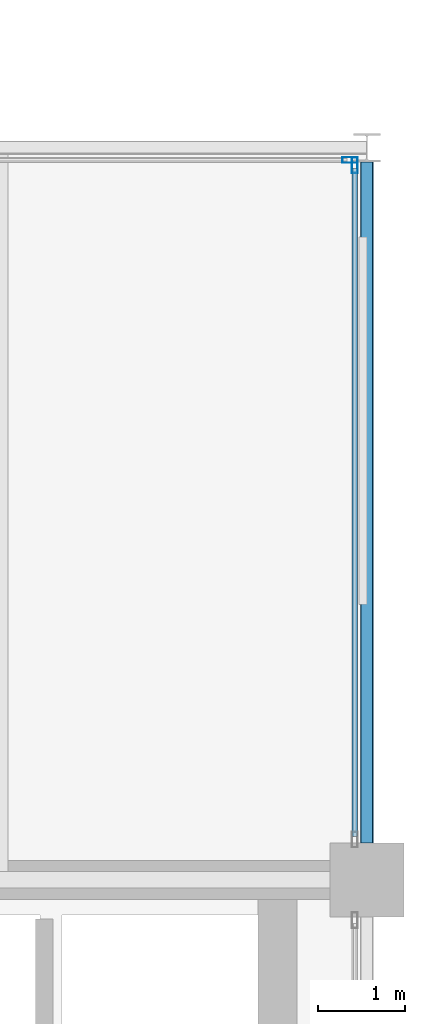
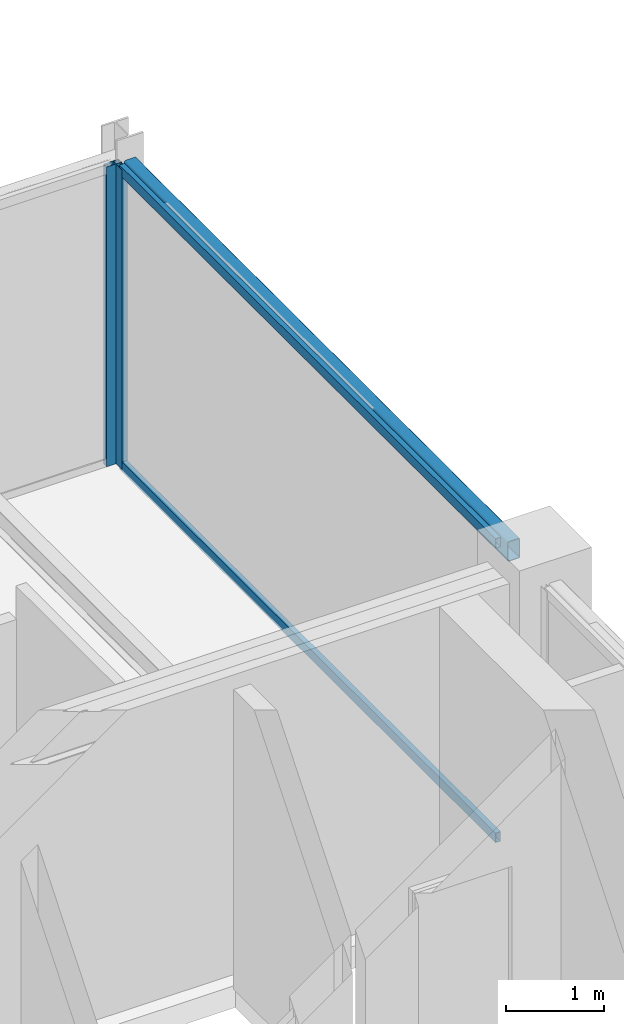
# One storey, part 15 of 24: 4 members, 1 beam, 2 elements without a shape of their own.
"""IFC4 building model written with IfcOpenShell, lengths in metres."""

import ifcopenshell
import ifcopenshell.guid

model = None  # the IFC model being written
_history = None  # IfcOwnerHistory: only IFC2X3 demands one
_inside = {}  # id of a spatial element -> (the spatial element, [elements in it])
_under = {}  # id of a project, library or spatial element -> (it, [spatial elements below it])
_declared = {}  # id of a project -> (the project, [libraries it declares])
_typed = {}  # id of a type object -> (the type object, [elements of that type])
_made_of = {}  # id of a material, layer set ... -> (it, [elements and type objects made of it])


def new_model(schema):
    """Start an empty IFC model of exactly this schema.

    Asked for "IFC4X3", IfcOpenShell would pick the latest addendum, in which some entities
    have other attributes; the version numbers below select the first issue.
    IFC2X3 requires an IfcOwnerHistory on every rooted entity: one is made here for all.
    """
    global model, _history
    if schema == "IFC4X3":
        model = ifcopenshell.file(schema_version=(4, 3, 0, 0))
    else:
        model = ifcopenshell.file(schema=schema)
    _inside.clear()
    _under.clear()
    _declared.clear()
    _typed.clear()
    _made_of.clear()
    _history = None
    if model.schema == "IFC2X3":
        org = make("IfcOrganization", Name="unknown")
        user = make(
            "IfcPersonAndOrganization",
            ThePerson=make("IfcPerson", FamilyName="unknown"),
            TheOrganization=org,
        )
        app = make(
            "IfcApplication",
            ApplicationDeveloper=org,
            Version="unknown",
            ApplicationFullName="unknown",
            ApplicationIdentifier="unknown",
        )
        _history = make(
            "IfcOwnerHistory",
            OwningUser=user,
            OwningApplication=app,
            ChangeAction="ADDED",
            CreationDate=0,
        )
    return model


def make(cls, **values):
    """One entity of the class cls with the attributes given. An attribute that is None is left unset."""
    return model.create_entity(
        cls, **{name: value for name, value in values.items() if value is not None}
    )


def rooted(cls, **values):
    """An entity with a GlobalId (a new one), such as an element, a storey or a relation."""
    return make(cls, GlobalId=ifcopenshell.guid.new(), OwnerHistory=_history, **values)


def si_unit(unit_type, name, prefix=None):
    """IfcSIUnit, for example si_unit("LENGTHUNIT", "METRE", prefix="MILLI")."""
    return make("IfcSIUnit", UnitType=unit_type, Prefix=prefix, Name=name)


def assignment(units):
    """IfcUnitAssignment: the units of a project."""
    return None if units is None else make("IfcUnitAssignment", Units=units)


def point(xyz):
    """IfcCartesianPoint."""
    return None if xyz is None else make("IfcCartesianPoint", Coordinates=xyz)


def direction(xyz):
    """IfcDirection."""
    return None if xyz is None else make("IfcDirection", DirectionRatios=xyz)


def frame(location, z_axis=None, x_axis=None):
    """IfcAxis2Placement3D, a coordinate frame: its origin and axes. An axis left out is left unset."""
    return make(
        "IfcAxis2Placement3D",
        Location=point(location),
        Axis=direction(z_axis),
        RefDirection=direction(x_axis),
    )


def frame_2d(location, x_axis=None):
    """IfcAxis2Placement2D, a coordinate frame in the plane: its origin and x axis."""
    return make(
        "IfcAxis2Placement2D", Location=point(location), RefDirection=direction(x_axis)
    )


def origin():
    """The frame at (0, 0, 0) with its axes left unset."""
    return frame((0.0, 0.0, 0.0))


def origin_2d():
    """The frame at (0, 0) in the plane with its x axis left unset."""
    return frame_2d((0.0, 0.0))


def place(relative_to, where):
    """IfcLocalPlacement: puts the frame where relative to a parent placement (None: the world)."""
    return make(
        "IfcLocalPlacement", PlacementRelTo=relative_to, RelativePlacement=where
    )


def context(
    kind, dimensions, precision=None, world=None, true_north=None, identifier=None
):
    """IfcGeometricRepresentationContext, for example the 3D "Model" context."""
    return make(
        "IfcGeometricRepresentationContext",
        ContextIdentifier=identifier,
        ContextType=kind,
        CoordinateSpaceDimension=dimensions,
        Precision=precision,
        WorldCoordinateSystem=world,
        TrueNorth=true_north,
    )


def subcontext(parent, identifier, kind, view, scale=None):
    """IfcGeometricRepresentationSubContext, for example "Body" below "Model"."""
    return make(
        "IfcGeometricRepresentationSubContext",
        ContextIdentifier=identifier,
        ContextType=kind,
        ParentContext=parent,
        TargetScale=scale,
        TargetView=view,
    )


def project(units=None, contexts=None):
    """IfcProject with its units and contexts."""
    return rooted(
        "IfcProject",
        Name="project",
        RepresentationContexts=contexts,
        UnitsInContext=assignment(units),
    )


def spatial(cls, under=None, at=None, **own):
    """A site, building, storey or space (cls), placed at a placement, below another one or the project."""
    s = rooted(cls, ObjectPlacement=at, **own)
    if under is not None:
        _under.setdefault(under.id(), (under, []))[1].append(s)
    return s


def profile(cls, at=None, kind="AREA", **sizes):
    """A parametric profile (cls). Its sizes go by their IFC names, for example OverallWidth=200.0."""
    return make(cls, ProfileType=kind, Position=at, **sizes)


def hollow_rectangle(**sizes):
    """IfcRectangleHollowProfileDef."""
    return profile("IfcRectangleHollowProfileDef", **sizes)


def extrude(swept, where, along, depth):
    """IfcExtrudedAreaSolid: the profile swept, set in the frame where, extruded along a direction by depth."""
    return make(
        "IfcExtrudedAreaSolid",
        SweptArea=swept,
        Position=where,
        ExtrudedDirection=direction(along),
        Depth=depth,
    )


def shape(context_of_items, identifier, shape_type, items):
    """IfcShapeRepresentation: the items that make up one representation, for example the "Body"."""
    return make(
        "IfcShapeRepresentation",
        ContextOfItems=context_of_items,
        RepresentationIdentifier=identifier,
        RepresentationType=shape_type,
        Items=items,
    )


def material(Name=None, Category=None):
    """IfcMaterial."""
    return make("IfcMaterial", Name=Name, Category=Category)


def layer(
    of_material, thickness, ventilated=None, Name=None, Category=None, Priority=None
):
    """IfcMaterialLayer: one layer of a wall or slab, of a material (None: an air gap)."""
    return make(
        "IfcMaterialLayer",
        Material=of_material,
        LayerThickness=thickness,
        IsVentilated=ventilated,
        Name=Name,
        Category=Category,
        Priority=Priority,
    )


def layer_set(layers, Name=None):
    """IfcMaterialLayerSet."""
    return make("IfcMaterialLayerSet", MaterialLayers=layers, LayerSetName=Name)


def material_profile(
    of_material, cross_section, Name=None, Category=None, Priority=None
):
    """IfcMaterialProfile: a cross section and its material."""
    return make(
        "IfcMaterialProfile",
        Name=Name,
        Material=of_material,
        Profile=cross_section,
        Priority=Priority,
        Category=Category,
    )


def profile_set(profiles, Name=None, composite=None):
    """IfcMaterialProfileSet."""
    return make(
        "IfcMaterialProfileSet",
        Name=Name,
        MaterialProfiles=profiles,
        CompositeProfile=composite,
    )


def made_of(thing, what):
    """Note that an element or type object is made of a material, layer set ...; save() writes the relation."""
    if what is not None:
        _made_of.setdefault(what.id(), (what, []))[1].append(thing)
    return thing


def type_object(cls, material=None, **own):
    """A type object (cls), such as IfcWallType, which elements share."""
    return made_of(rooted(cls, **own), material)


def element(
    cls,
    number,
    at=None,
    inside=None,
    cuts=None,
    type_object=None,
    material=None,
    context=None,
    identifier="Body",
    shape_type=None,
    held_by="IfcProductDefinitionShape",
    body=None,
    shapes=None,
    **own,
):
    """One element of the class cls, such as IfcWall. Its Tag is "e" and its number.

    at: its placement. inside: the storey or other place that contains it. cuts: it is an
    opening in that element (IfcRelVoidsElement). A single representation is given by context,
    identifier, shape_type and body (its items); several are given by shapes. held_by: the class
    of the entity that holds the representations. save() writes the other relations.
    """
    e = rooted(cls, Tag="e%d" % number, ObjectPlacement=at, **own)
    if body is not None:
        shapes = [shape(context, identifier, shape_type, body)]
    if shapes is not None:
        e.Representation = make(held_by, Representations=shapes)
    if inside is not None:
        _inside.setdefault(inside.id(), (inside, []))[1].append(e)
    if cuts is not None:
        rooted(
            "IfcRelVoidsElement", RelatingBuildingElement=cuts, RelatedOpeningElement=e
        )
    if type_object is not None:
        _typed.setdefault(type_object.id(), (type_object, []))[1].append(e)
    return made_of(e, material)


def aggregate(whole, parts):
    """IfcRelAggregates: a whole, such as a stair, and the parts it consists of."""
    return rooted("IfcRelAggregates", RelatingObject=whole, RelatedObjects=parts)


def save(model, path):
    """Write the relations noted so far, then the file.

    IfcRelAggregates (storeys below a building ...), IfcRelContainedInSpatialStructure (elements
    in a storey), IfcRelDefinesByType, IfcRelAssociatesMaterial and IfcRelDeclares: one each for
    every whole, place, type object, material and project.
    """
    for whole, parts in _under.values():
        aggregate(whole, parts)
    for where, things in _inside.values():
        rooted(
            "IfcRelContainedInSpatialStructure",
            RelatedElements=things,
            RelatingStructure=where,
        )
    for kind, things in _typed.values():
        rooted("IfcRelDefinesByType", RelatedObjects=things, RelatingType=kind)
    for what, things in _made_of.values():
        rooted("IfcRelAssociatesMaterial", RelatedObjects=things, RelatingMaterial=what)
    for by, libraries in _declared.values():
        rooted("IfcRelDeclares", RelatingContext=by, RelatedDefinitions=libraries)
    model.write(path)


model = new_model("IFC4")

# Units and contexts
model_context = context("Model", 3, precision=1e-05, world=origin(), true_north=direction((0.0, 1.0)))
body_context = subcontext(model_context, "Body", "Model", "MODEL_VIEW")
ifc_project = project(units=[si_unit("LENGTHUNIT", "METRE"), si_unit("AREAUNIT", "SQUARE_METRE"), si_unit("VOLUMEUNIT", "CUBIC_METRE"), si_unit("PLANEANGLEUNIT", "RADIAN"), si_unit("MASSUNIT", "GRAM", prefix="KILO")], contexts=[model_context])

# Site, building, storey
site_placement = place(None, origin())
site = spatial("IfcSite", under=ifc_project, at=site_placement, CompositionType="ELEMENT")
building_placement = place(site_placement, origin())
building = spatial("IfcBuilding", under=site, at=building_placement, Name="Nerrivon Quay Data Exchange", CompositionType="ELEMENT")
storey_placement = place(building_placement, frame((0.0, 0.0, 306.199951171875)))
storey = spatial("IfcBuildingStorey", under=building, at=storey_placement, Name="L73", CompositionType="ELEMENT", Elevation=306.199951171875)

# Beam
ifc_material_1 = material(Name="Steel Grade C350L0 (350 MPa)", Category="steel")
ifc_material_profile_1 = material_profile(ifc_material_1, hollow_rectangle(XDim=0.14990234375, YDim=0.25, WallThickness=0.009033203125, InnerFilletRadius=0.013427734375, OuterFilletRadius=0.0224609375, at=origin_2d()), Name="250x150x9.0RHS")
ifc_profile_set_1 = profile_set([ifc_material_profile_1], Name="Steel Grade C350L0 (350 MPa)")
beam_type = type_object("IfcBeamType", Name="BM-SP4-250x150RHS", PredefinedType="SPANDREL", material=ifc_profile_set_1)
beam_placement = place(storey_placement, frame((33.60009765625, 17.22509765625, 3.60009765625), z_axis=(0.0, 1.0, 0.0), x_axis=(-1.0, 0.0, 0.0)))
element("IfcBeam", 1, at=beam_placement, inside=storey, type_object=beam_type, Name="L73 NS Girder X=33.6 (16.8..25.2)", PredefinedType="SPANDREL", context=body_context, shape_type="SweptSolid", body=[
    extrude(hollow_rectangle(XDim=0.14990234375, YDim=0.25, WallThickness=0.009033203125, InnerFilletRadius=0.013427734375, OuterFilletRadius=0.0224609375, at=origin_2d()), origin(), (0.0, 0.0, 1.0), 7.8115234375),
])

# Curtain wall, member
ifc_material_2 = material(Name="Anodised aluminium 6063-T6", Category="aluminium")
ifc_layer = layer(ifc_material_2, 0.195068359375)
ifc_layer_set = layer_set([ifc_layer], Name="Anodised aluminium 6063-T6")
curtain_wall_type = type_object("IfcCurtainWallType", Name="CW-SYS-06", PredefinedType="NOTDEFINED", material=ifc_layer_set)
curtain_wall_1_placement = place(storey_placement, origin())
curtain_wall_1 = element("IfcCurtainWall", 2, at=curtain_wall_1_placement, inside=storey, type_object=curtain_wall_type, Name="L73 Unitised Curtain Wall 21", PredefinedType="NOTDEFINED")
ifc_material_profile_2 = material_profile(ifc_material_2, hollow_rectangle(XDim=0.06494140625, YDim=0.179931640625, WallThickness=0.00341796875, at=origin_2d()), Name="ALU-MULL-180x65")
ifc_profile_set_2 = profile_set([ifc_material_profile_2], Name="Anodised aluminium 6063-T6")
member_type_1 = type_object("IfcMemberType", Name="CWM-180x65", PredefinedType="MULLION", material=ifc_profile_set_2)
member_1_placement = place(storey_placement, frame((33.406982421875, 25.06005859375, 0.0), z_axis=(0.0, 0.0, 1.0), x_axis=(0.0, 1.0, 0.0)))
member_1 = element("IfcMember", 3, at=member_1_placement, type_object=member_type_1, Name="CW06 mullion 2", PredefinedType="MULLION", context=body_context, shape_type="SweptSolid", body=[
    extrude(hollow_rectangle(XDim=0.06494140625, YDim=0.179931640625, WallThickness=0.00341796875, at=origin_2d()), origin(), (0.0, 0.0, 1.0), 3.72509765625),
])
aggregate(curtain_wall_1, [member_1])

# Curtain wall, members
curtain_wall_2_placement = place(storey_placement, origin())
curtain_wall_2 = element("IfcCurtainWall", 4, at=curtain_wall_2_placement, inside=storey, type_object=curtain_wall_type, Name="L73 Unitised Curtain Wall 22", PredefinedType="NOTDEFINED")
member_2_placement = place(storey_placement, frame((33.4599609375, 24.9990234375, 0.0), z_axis=(0.0, 0.0, 1.0), x_axis=(1.0, 0.0, 0.0)))
member_2 = element("IfcMember", 5, at=member_2_placement, type_object=member_type_1, Name="CW06 mullion 1", PredefinedType="MULLION", context=body_context, shape_type="SweptSolid", body=[
    extrude(hollow_rectangle(XDim=0.06494140625, YDim=0.179931640625, WallThickness=0.00341796875, at=origin_2d()), origin(), (0.0, 0.0, 1.0), 3.72509765625),
])
ifc_material_profile_3 = material_profile(ifc_material_2, hollow_rectangle(XDim=0.06005859375, YDim=0.1201171875, WallThickness=0.003173828125, at=origin_2d()), Name="ALU-TRAN-120x60")
ifc_profile_set_3 = profile_set([ifc_material_profile_3], Name="Anodised aluminium 6063-T6")
member_type_2 = type_object("IfcMemberType", Name="CWT-120x60", PredefinedType="USERDEFINED", material=ifc_profile_set_3)
member_3_placement = place(storey_placement, frame((33.4599609375, 24.96142578125, 0.032470703125), z_axis=(0.0, -1.0, 0.0), x_axis=(1.0, 0.0, 0.0)))
member_3 = element("IfcMember", 6, at=member_3_placement, type_object=member_type_2, Name="CW06 transom 1.1", ObjectType="TRANSOM", PredefinedType="USERDEFINED", context=body_context, shape_type="SweptSolid", body=[
    extrude(hollow_rectangle(XDim=0.06005859375, YDim=0.1201171875, WallThickness=0.003173828125, at=origin_2d()), origin(), (0.0, 0.0, 1.0), 7.661376953125),
])
member_4_placement = place(storey_placement, frame((33.4599609375, 24.96142578125, 3.692626953125), z_axis=(0.0, -1.0, 0.0), x_axis=(1.0, 0.0, 0.0)))
member_4 = element("IfcMember", 7, at=member_4_placement, type_object=member_type_2, Name="CW06 transom 1.2", ObjectType="TRANSOM", PredefinedType="USERDEFINED", context=body_context, shape_type="SweptSolid", body=[
    extrude(hollow_rectangle(XDim=0.06005859375, YDim=0.1201171875, WallThickness=0.003173828125, at=origin_2d()), origin(), (0.0, 0.0, 1.0), 7.661376953125),
])
aggregate(curtain_wall_2, [member_2, member_3, member_4])

save(model, "model.ifc")
